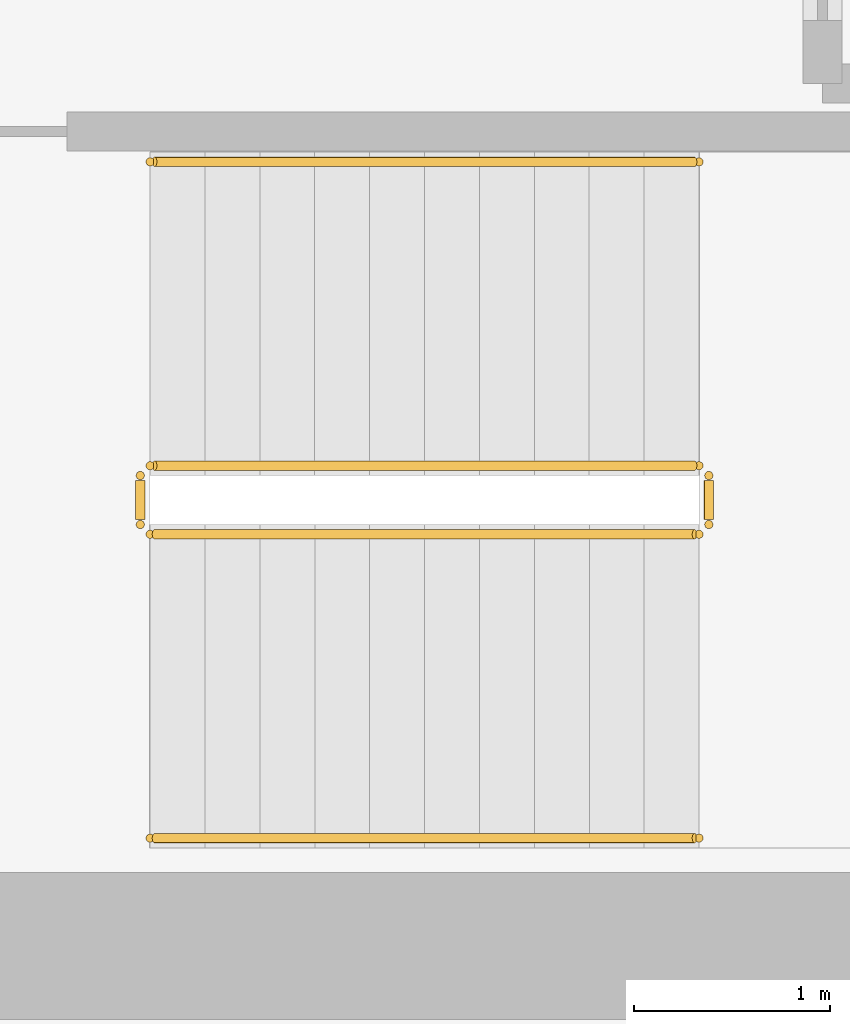
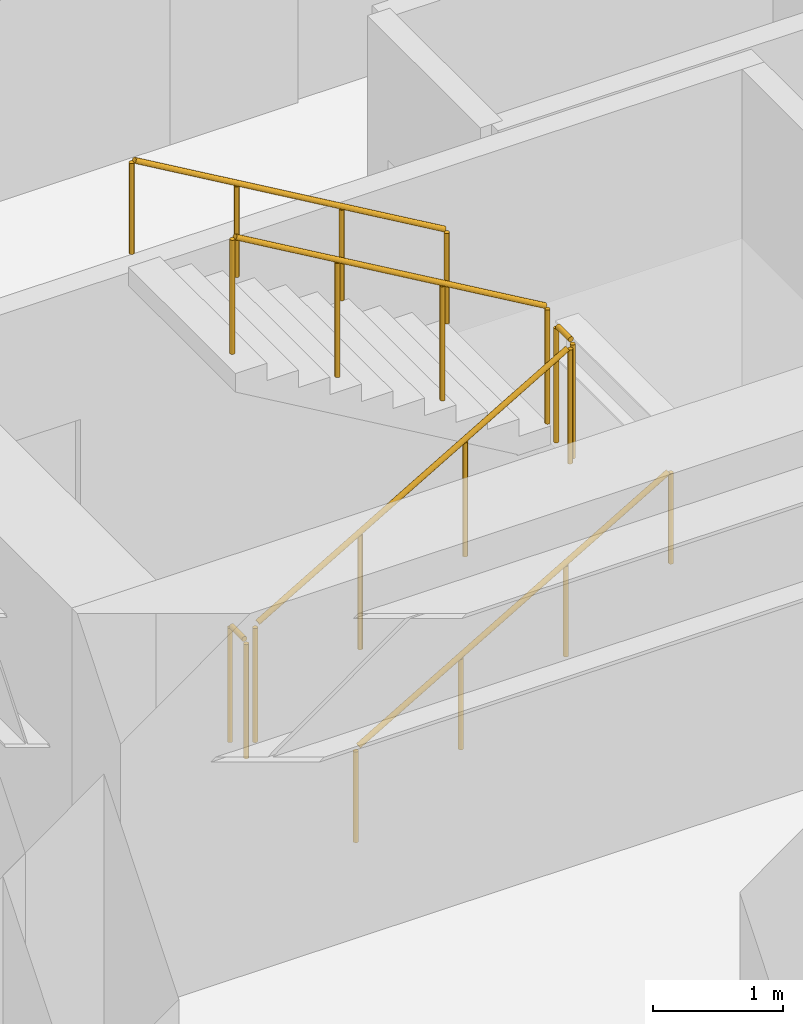
# One storey, part 14 of 14: 6 railings.
"""IFC4 building model written with IfcOpenShell, lengths in metres."""

from ifc_helpers import new_model, si_unit, direction, frame, origin, origin_2d, place, context, subcontext, project, spatial, circle, extrude, source, transform, mapped, material, layer, layer_set, type_object, element, save


model = new_model("IFC4")

# Units and contexts
model_context = context("Model", 3, precision=1e-05, world=origin(), true_north=direction((0.0, 1.0)))
body_context = subcontext(model_context, "Body", "Model", "MODEL_VIEW")
ifc_project = project(units=[si_unit("LENGTHUNIT", "METRE"), si_unit("AREAUNIT", "SQUARE_METRE"), si_unit("VOLUMEUNIT", "CUBIC_METRE"), si_unit("PLANEANGLEUNIT", "RADIAN"), si_unit("MASSUNIT", "GRAM", prefix="KILO")], contexts=[model_context])

# Site, building, storey
site_placement = place(None, origin())
site = spatial("IfcSite", under=ifc_project, at=site_placement, CompositionType="ELEMENT")
building_placement = place(site_placement, origin())
building = spatial("IfcBuilding", under=site, at=building_placement, Name="Kharzan Plaza Tower", CompositionType="ELEMENT")
storey_placement = place(building_placement, frame((0.0, 0.0, 88.199951171875)))
storey = spatial("IfcBuildingStorey", under=building, at=storey_placement, Name="L23", CompositionType="ELEMENT", Elevation=88.199951171875)

# Railings
ifc_material_1 = material(Name="Painted Galvanized Architectural Steel", Category="steel")
ifc_layer_1 = layer(ifc_material_1, 0.074951171875)
ifc_layer_set_1 = layer_set([ifc_layer_1], Name="Painted Galvanized Architectural Steel")
railing_type_1 = type_object("IfcRailingType", Name="RL-GUARD-1120", PredefinedType="BALUSTRADE", material=ifc_layer_set_1)
shared_shape_1 = source(origin(), body_context, "Body", "SweptSolid", [
    extrude(circle(Radius=0.02392578125, at=origin_2d()), frame((0.0, 0.0263671875, 1.09619140625), z_axis=(0.0, 1.0, 0.0), x_axis=(-1.0, 0.0, 0.0)), (0.0, 0.0, 1.0), 0.197021484375),
    extrude(circle(Radius=0.02099609375, at=origin_2d()), origin(), (0.0, 0.0, 1.0), 1.072021484375),
    extrude(circle(Radius=0.02099609375, at=origin_2d()), frame((0.0, 0.25, 0.0)), (0.0, 0.0, 1.0), 1.072021484375),
])
for number, where, name in (
    (1, (41.10009765625, 6.64990234375, 1.800048828125), "L23 ST-3 stair guard 2"),
    (2, (38.199951171875, 6.64990234375, 0.0), "L23 ST-3 stair guard 4"),
):
    element("IfcRailing", number, at=place(storey_placement, frame(where)), inside=storey, type_object=railing_type_1, Name=name, PredefinedType="BALUSTRADE", context=body_context, shape_type="MappedRepresentation", body=[
        mapped(shared_shape_1, transform((0.0, 0.0, 0.0), x_axis=(1.0, 0.0, 0.0), y_axis=(0.0, 1.0, 0.0), z_axis=(0.0, 0.0, 1.0))),
    ])
shared_shape_2 = source(origin(), body_context, "Body", "SweptSolid", [
    extrude(circle(Radius=0.02392578125, at=origin_2d()), frame((0.02294921875, 0.0, 1.109375), z_axis=(0.863360870873, 0.0, 0.504586966384), x_axis=(0.0, 1.0, 0.0)), (0.0, 0.0, 1.0), 3.190185546875),
    extrude(circle(Radius=0.02099609375, at=origin_2d()), origin(), (0.0, 0.0, 1.0), 1.072021484375),
    extrude(circle(Radius=0.02099609375, at=origin_2d()), frame((0.933349609375, 0.0, 0.54541015625)), (0.0, 0.0, 1.0), 1.072021484375),
    extrude(circle(Radius=0.02099609375, at=origin_2d()), frame((1.86669921875, 0.0, 1.091064453125)), (0.0, 0.0, 1.0), 1.072021484375),
    extrude(circle(Radius=0.02099609375, at=origin_2d()), frame((2.800048828125, 0.0, 1.636474609375)), (0.0, 0.0, 1.0), 1.072021484375),
])
railing_1_placement = place(storey_placement, frame((38.25, 6.60009765625, 0.16357421875)))
element("IfcRailing", 3, at=railing_1_placement, inside=storey, type_object=railing_type_1, Name="L23 ST-3 stair guard 1", PredefinedType="BALUSTRADE", context=body_context, shape_type="MappedRepresentation", body=[
    mapped(shared_shape_2, transform((0.0, 0.0, 0.0), x_axis=(1.0, 0.0, 0.0), y_axis=(0.0, 1.0, 0.0), z_axis=(0.0, 0.0, 1.0))),
])
shared_shape_3 = source(origin(), body_context, "Body", "SweptSolid", [
    extrude(circle(Radius=0.02392578125, at=origin_2d()), frame((-0.02294921875, 0.0, 1.109375), z_axis=(-0.863360870873, 0.0, 0.504586966384), x_axis=(0.0, -1.0, 0.0)), (0.0, 0.0, 1.0), 3.190185546875),
    extrude(circle(Radius=0.02099609375, at=origin_2d()), origin(), (0.0, 0.0, 1.0), 1.072021484375),
    extrude(circle(Radius=0.02099609375, at=origin_2d()), frame((-0.933349609375, 0.0, 0.54541015625)), (0.0, 0.0, 1.0), 1.072021484375),
    extrude(circle(Radius=0.02099609375, at=origin_2d()), frame((-1.86669921875, 0.0, 1.091064453125)), (0.0, 0.0, 1.0), 1.072021484375),
    extrude(circle(Radius=0.02099609375, at=origin_2d()), frame((-2.800048828125, 0.0, 1.636474609375)), (0.0, 0.0, 1.0), 1.072021484375),
])
railing_2_placement = place(storey_placement, frame((41.050048828125, 6.949951171875, 1.963623046875)))
element("IfcRailing", 4, at=railing_2_placement, inside=storey, type_object=railing_type_1, Name="L23 ST-3 stair guard 3", PredefinedType="BALUSTRADE", context=body_context, shape_type="MappedRepresentation", body=[
    mapped(shared_shape_3, transform((0.0, 0.0, 0.0), x_axis=(1.0, 0.0, 0.0), y_axis=(0.0, 1.0, 0.0), z_axis=(0.0, 0.0, 1.0))),
])
ifc_material_2 = material(Name="Brushed Stainless Steel", Category="steel")
ifc_layer_2 = layer(ifc_material_2, 0.050048828125)
ifc_layer_set_2 = layer_set([ifc_layer_2], Name="Brushed Stainless Steel")
railing_type_2 = type_object("IfcRailingType", Name="RL-STAIR-HR920", PredefinedType="HANDRAIL", material=ifc_layer_set_2)
shared_shape_4 = source(origin(), body_context, "Body", "SweptSolid", [
    extrude(circle(Radius=0.02392578125, at=origin_2d()), frame((0.02294921875, 0.0, 0.88916015625), z_axis=(0.863360870873, 0.0, 0.504586966384), x_axis=(0.0, 1.0, 0.0)), (0.0, 0.0, 1.0), 3.190185546875),
    extrude(circle(Radius=0.02099609375, at=origin_2d()), origin(), (0.0, 0.0, 1.0), 0.851806640625),
    extrude(circle(Radius=0.02099609375, at=origin_2d()), frame((0.933349609375, 0.0, 0.54541015625)), (0.0, 0.0, 1.0), 0.851806640625),
    extrude(circle(Radius=0.02099609375, at=origin_2d()), frame((1.86669921875, 0.0, 1.091064453125)), (0.0, 0.0, 1.0), 0.851806640625),
    extrude(circle(Radius=0.02099609375, at=origin_2d()), frame((2.800048828125, 0.0, 1.636474609375)), (0.0, 0.0, 1.0), 0.851806640625),
])
railing_3_placement = place(storey_placement, frame((38.25, 5.050048828125, 0.16357421875)))
element("IfcRailing", 5, at=railing_3_placement, inside=storey, type_object=railing_type_2, Name="L23 ST-3 stair handrail 1", PredefinedType="HANDRAIL", context=body_context, shape_type="MappedRepresentation", body=[
    mapped(shared_shape_4, transform((0.0, 0.0, 0.0), x_axis=(1.0, 0.0, 0.0), y_axis=(0.0, 1.0, 0.0), z_axis=(0.0, 0.0, 1.0))),
])
shared_shape_5 = source(origin(), body_context, "Body", "SweptSolid", [
    extrude(circle(Radius=0.02392578125, at=origin_2d()), frame((-0.02294921875, 0.0, 0.88916015625), z_axis=(-0.863360870873, 0.0, 0.504586966384), x_axis=(0.0, -1.0, 0.0)), (0.0, 0.0, 1.0), 3.190185546875),
    extrude(circle(Radius=0.02099609375, at=origin_2d()), origin(), (0.0, 0.0, 1.0), 0.851806640625),
    extrude(circle(Radius=0.02099609375, at=origin_2d()), frame((-0.933349609375, 0.0, 0.54541015625)), (0.0, 0.0, 1.0), 0.851806640625),
    extrude(circle(Radius=0.02099609375, at=origin_2d()), frame((-1.86669921875, 0.0, 1.091064453125)), (0.0, 0.0, 1.0), 0.851806640625),
    extrude(circle(Radius=0.02099609375, at=origin_2d()), frame((-2.800048828125, 0.0, 1.636474609375)), (0.0, 0.0, 1.0), 0.851806640625),
])
railing_4_placement = place(storey_placement, frame((41.050048828125, 8.5, 1.963623046875)))
element("IfcRailing", 6, at=railing_4_placement, inside=storey, type_object=railing_type_2, Name="L23 ST-3 stair handrail 2", PredefinedType="HANDRAIL", context=body_context, shape_type="MappedRepresentation", body=[
    mapped(shared_shape_5, transform((0.0, 0.0, 0.0), x_axis=(1.0, 0.0, 0.0), y_axis=(0.0, 1.0, 0.0), z_axis=(0.0, 0.0, 1.0))),
])

save(model, "model.ifc")
